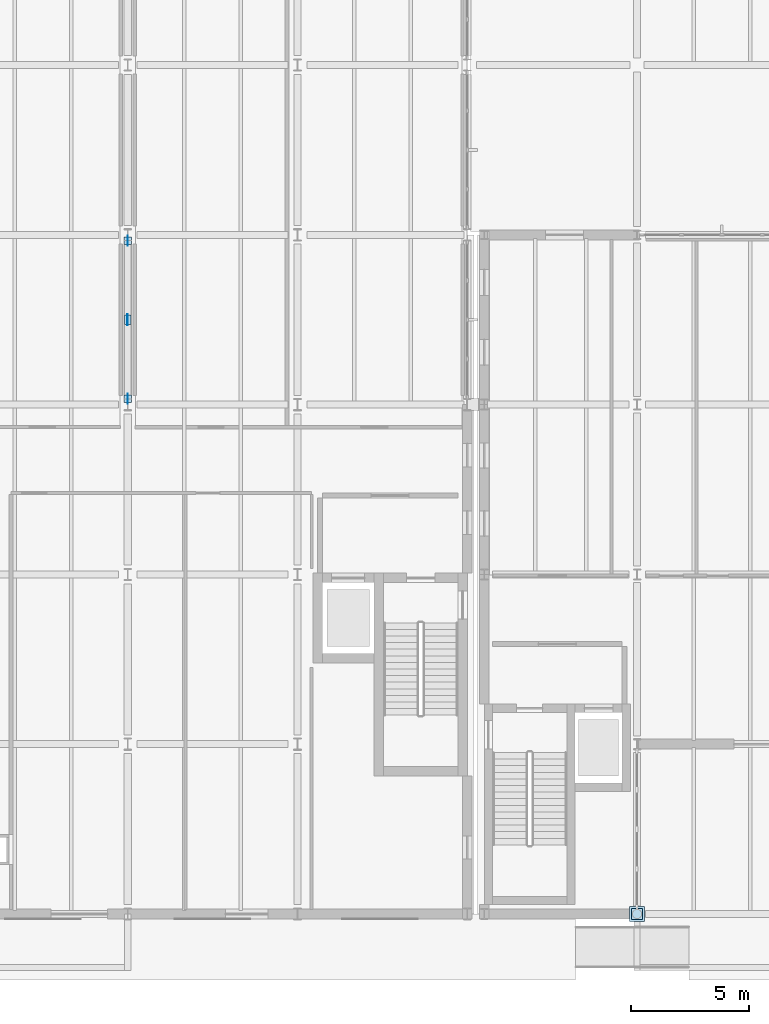
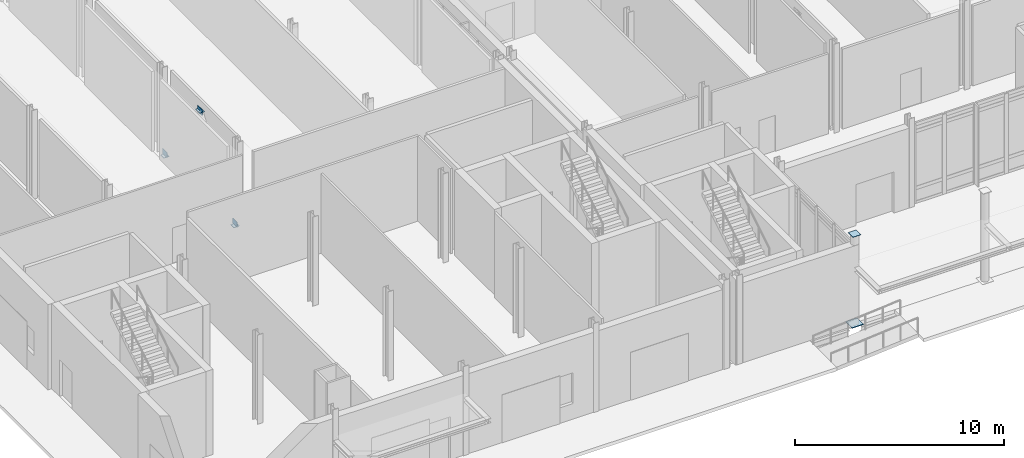
# One storey, part 50 of 89: 8 plates.
"""IFC4 building model written with IfcOpenShell, lengths in metres."""

from ifc_helpers import new_model, si_unit, direction, frame, origin, origin_2d, place, context, subcontext, project, spatial, rectangle, extrude, material, layer, layer_set, type_object, element, save


model = new_model("IFC4")

# Units and contexts
model_context = context("Model", 3, precision=1e-05, world=origin(), true_north=direction((0.0, 1.0)))
body_context = subcontext(model_context, "Body", "Model", "MODEL_VIEW")
ifc_project = project(units=[si_unit("LENGTHUNIT", "METRE"), si_unit("AREAUNIT", "SQUARE_METRE"), si_unit("VOLUMEUNIT", "CUBIC_METRE"), si_unit("PLANEANGLEUNIT", "RADIAN"), si_unit("MASSUNIT", "GRAM", prefix="KILO")], contexts=[model_context])

# Site, building, storey
site_placement = place(None, origin())
site = spatial("IfcSite", under=ifc_project, at=site_placement, CompositionType="ELEMENT")
building_placement = place(site_placement, origin())
building = spatial("IfcBuilding", under=site, at=building_placement, Name="Zarrinpeak Specialist Clinic", CompositionType="ELEMENT")
storey_placement = place(building_placement, origin())
storey = spatial("IfcBuildingStorey", under=building, at=storey_placement, Name="L00", CompositionType="ELEMENT", Elevation=0.0)

# Plates
ifc_material = material(Name="Steel S355", Category="steel")
ifc_layer_1 = layer(ifc_material, 0.035888671875)
ifc_layer_set_1 = layer_set([ifc_layer_1], Name="Steel S355")
plate_type_1 = type_object("IfcPlateType", Name="PL-BP500", PredefinedType="SHEET", material=ifc_layer_set_1)
plate_1_placement = place(storey_placement, frame((36.0, 0.0, -0.03173828125), z_axis=(0.0, 0.0, 1.0), x_axis=(1.0, 0.0, 0.0)))
element("IfcPlate", 1, at=plate_1_placement, inside=storey, type_object=plate_type_1, Name="L00 Hollow Column Baseplate CCAP-B-002", PredefinedType="SHEET", context=body_context, shape_type="SweptSolid", body=[
    extrude(rectangle(XDim=0.6201171875, YDim=0.6201171875, at=origin_2d()), origin(), (0.0, 0.0, 1.0), 0.035888671875),
])
ifc_layer_2 = layer(ifc_material, 0.01806640625)
ifc_layer_set_2 = layer_set([ifc_layer_2], Name="Steel S355")
plate_type_2 = type_object("IfcPlateType", Name="PL-CAP273", PredefinedType="SHEET", material=ifc_layer_set_2)
for number, where, z_axis, x_axis, name in (
    (2, (14.39990234375, 21.85009765625, 0.0), (0.0, 0.0, 1.0), (1.0, 0.0, 0.0), "V1 L00 Hollow Brace Foot Cap Plate A"),
    (3, (14.39990234375, 28.550048828125, 0.0), (0.0, 0.0, 1.0), (1.0, 0.0, 0.0), "V1 L00 Hollow Brace Foot Cap Plate B"),
):
    element("IfcPlate", number, at=place(storey_placement, frame(where, z_axis=z_axis, x_axis=x_axis)), inside=storey, type_object=plate_type_2, Name=name, PredefinedType="SHEET", context=body_context, shape_type="SweptSolid", body=[
        extrude(rectangle(XDim=0.31005859375, YDim=0.31005859375, at=origin_2d()), origin(), (0.0, 0.0, 1.0), 0.01806640625),
    ])
ifc_layer_3 = layer(ifc_material, 0.02197265625)
ifc_layer_set_3 = layer_set([ifc_layer_3], Name="Steel S355")
plate_type_3 = type_object("IfcPlateType", Name="PL-CAP406", PredefinedType="SHEET", material=ifc_layer_set_3)
plate_2_placement = place(storey_placement, frame((36.0, 0.0, 5.196044921875), z_axis=(0.0, 0.0, 1.0), x_axis=(1.0, 0.0, 0.0)))
element("IfcPlate", 4, at=plate_2_placement, inside=storey, type_object=plate_type_3, Name="L00 Hollow Column Top Cap Plate CCAP-T-001", PredefinedType="SHEET", context=body_context, shape_type="SweptSolid", body=[
    extrude(rectangle(XDim=0.449951171875, YDim=0.449951171875, at=origin_2d()), origin(), (0.0, 0.0, 1.0), 0.02197265625),
])
ifc_layer_4 = layer(ifc_material, 0.02001953125)
ifc_layer_set_4 = layer_set([ifc_layer_4], Name="Steel S355")
plate_type_4 = type_object("IfcPlateType", Name="PL-GN01", PredefinedType="SHEET", material=ifc_layer_set_4)
plate_3_placement = place(storey_placement, frame((14.39990234375, 25.199951171875, 4.509765625), z_axis=(0.0, 0.0, 1.0), x_axis=(1.0, 0.0, 0.0)))
element("IfcPlate", 5, at=plate_3_placement, inside=storey, type_object=plate_type_4, Name="V1 L00 Chevron Gusset Node Plate GN-V1-L00", PredefinedType="SHEET", context=body_context, shape_type="SweptSolid", body=[
    extrude(rectangle(XDim=0.02001953125, YDim=0.47998046875, at=origin_2d()), origin(), (0.0, 0.0, 1.0), 0.340087890625),
])
ifc_layer_5 = layer(ifc_material, 0.01611328125)
ifc_layer_set_5 = layer_set([ifc_layer_5], Name="Steel S355")
plate_type_5 = type_object("IfcPlateType", Name="PL-GN02", PredefinedType="SHEET", material=ifc_layer_set_5)
plate_4_placement = place(storey_placement, frame((14.39990234375, 25.199951171875, 4.677978515625), z_axis=(0.0, 0.0, 1.0), x_axis=(1.0, 0.0, 0.0)))
element("IfcPlate", 6, at=plate_4_placement, inside=storey, type_object=plate_type_5, Name="V1 L00 Chevron Apex Seal Plate GNCAP-V1-L00", PredefinedType="SHEET", context=body_context, shape_type="SweptSolid", body=[
    extrude(rectangle(XDim=0.280029296875, YDim=0.39990234375, at=origin_2d()), origin(), (0.0, 0.0, 1.0), 0.01611328125),
])
ifc_layer_6 = layer(ifc_material, 0.01806640625)
ifc_layer_set_6 = layer_set([ifc_layer_6], Name="Steel S355")
plate_type_6 = type_object("IfcPlateType", Name="PL-GN03", PredefinedType="SHEET", material=ifc_layer_set_6)
for number, where, z_axis, x_axis, name in (
    (7, (14.39990234375, 21.85009765625, 0.0048828125), (0.0, 0.0, 1.0), (1.0, 0.0, 0.0), "V1 L00 Brace Foot Gusset Plate GNF-V1-L00-A"),
    (8, (14.39990234375, 28.550048828125, 0.0048828125), (0.0, 0.0, 1.0), (1.0, 0.0, 0.0), "V1 L00 Brace Foot Gusset Plate GNF-V1-L00-B"),
):
    element("IfcPlate", number, at=place(storey_placement, frame(where, z_axis=z_axis, x_axis=x_axis)), inside=storey, type_object=plate_type_6, Name=name, PredefinedType="SHEET", context=body_context, shape_type="SweptSolid", body=[
        extrude(rectangle(XDim=0.01806640625, YDim=0.43994140625, at=origin_2d()), origin(), (0.0, 0.0, 1.0), 0.31005859375),
    ])

save(model, "model.ifc")
